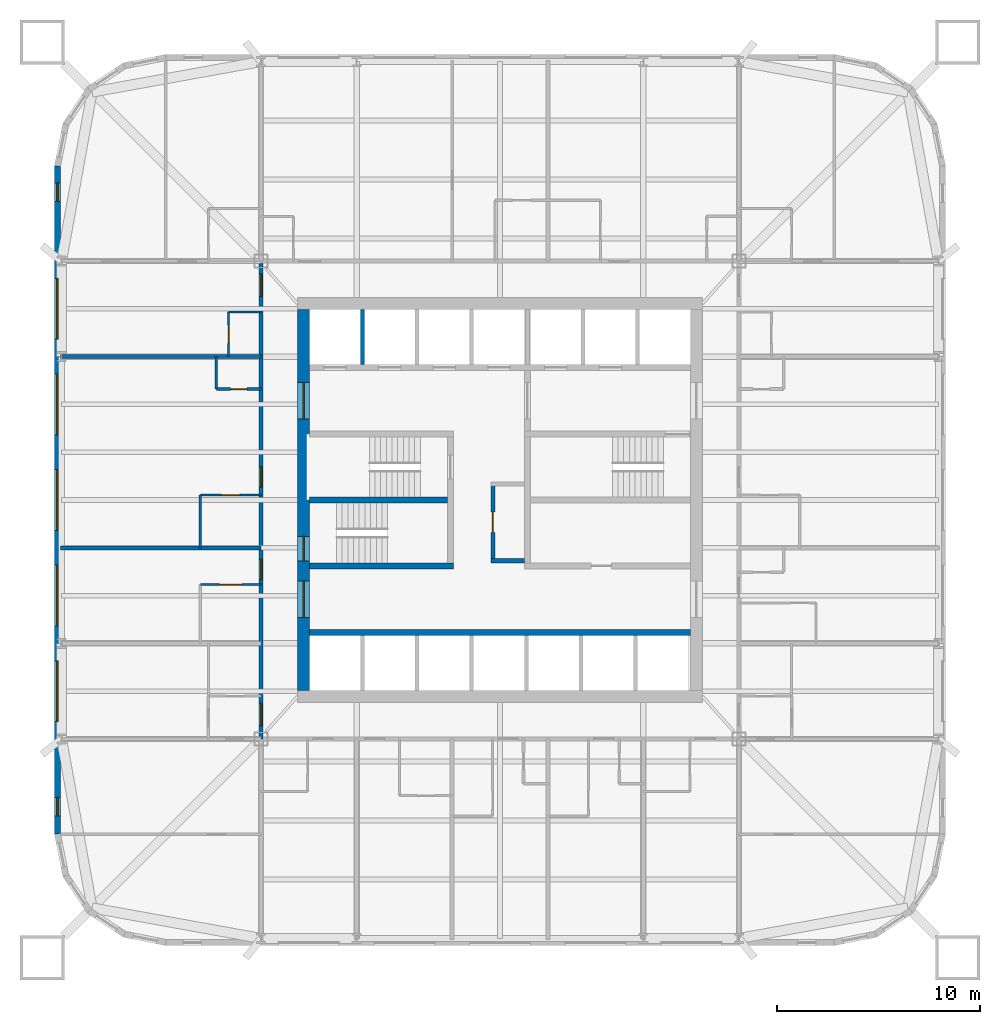
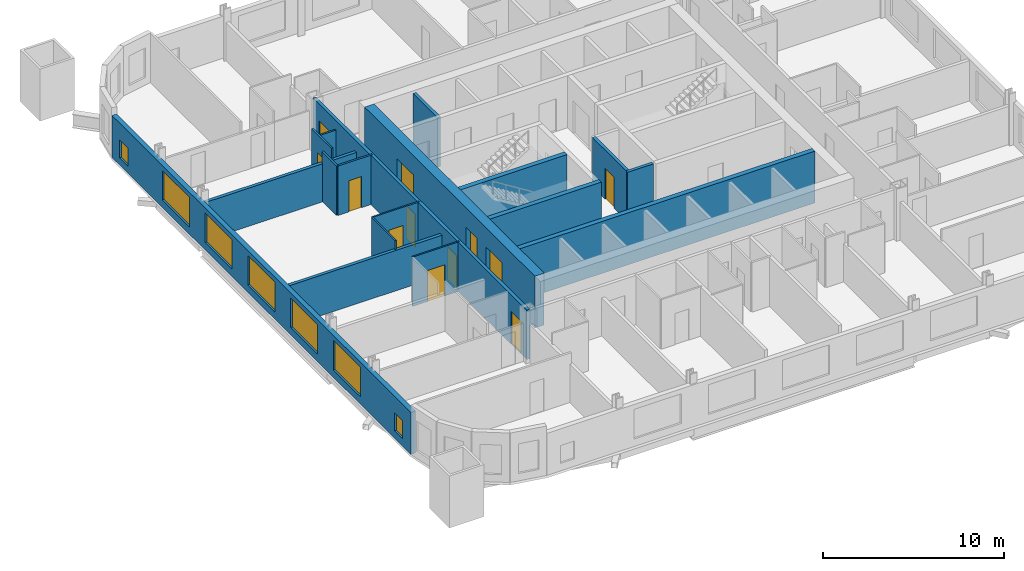
# One storey, part 4 of 9: 18 walls, 12 doors, 7 windows, 19 openings.
"""IFC4 building model written with IfcOpenShell, lengths in metres."""

from ifc_helpers import new_model, si_unit, direction, frame, frame_2d, origin, place, context, subcontext, project, spatial, rectangle, extrude, material, layer, layer_set, type_object, element, fill, save


model = new_model("IFC4")

# Units and contexts
model_context = context("Model", 3, precision=1e-05, world=origin(), true_north=direction((0.0, 1.0)))
body_context = subcontext(model_context, "Body", "Model", "MODEL_VIEW")
ifc_project = project(units=[si_unit("LENGTHUNIT", "METRE"), si_unit("AREAUNIT", "SQUARE_METRE"), si_unit("VOLUMEUNIT", "CUBIC_METRE"), si_unit("PLANEANGLEUNIT", "RADIAN"), si_unit("MASSUNIT", "GRAM", prefix="KILO")], contexts=[model_context])

# Site, building, storey
site_placement = place(None, origin())
site = spatial("IfcSite", under=ifc_project, at=site_placement, CompositionType="ELEMENT")
building_placement = place(site_placement, origin())
building = spatial("IfcBuilding", under=site, at=building_placement, Name="Turquesa Mirador Hotel Tower", CompositionType="ELEMENT")
storey_placement = place(building_placement, frame((0.0, 0.0, 74.0)))
storey = spatial("IfcBuildingStorey", under=building, at=storey_placement, Name="L19", CompositionType="ELEMENT", Elevation=74.0)

# Wall, opening, door
ifc_material_1 = material(Name="Gypsum board on steel studs", Category="steel")
ifc_layer_1 = layer(ifc_material_1, 0.10009765625)
ifc_layer_set_1 = layer_set([ifc_layer_1], Name="BATHROOM WALL 100")
wall_type_1 = type_object("IfcWallType", Name="BATHROOM WALL 100", PredefinedType="PARTITIONING", material=ifc_layer_set_1)
wall_1_placement = place(storey_placement, frame((40.199951171875, 40.820068359375, 0.0), z_axis=(0.0, 0.0, 1.0), x_axis=(1.0, 0.0, 0.0)))
wall_1 = element("IfcWall", 1, at=wall_1_placement, inside=storey, type_object=wall_type_1, Name="Partition L19 016", PredefinedType="PARTITIONING", context=body_context, shape_type="SweptSolid", body=[
    extrude(rectangle(XDim=3.0, YDim=0.10009765625, at=frame_2d((1.5, 0.0))), origin(), (0.0, 0.0, 1.0), 3.330078125),
])
opening_1_placement = place(wall_1_placement, frame((0.949951171875, 0.0, 0.0)))
opening_1 = element("IfcOpeningElement", 2, at=opening_1_placement, cuts=wall_1, Name="Opening D16", PredefinedType="OPENING", context=body_context, shape_type="SweptSolid", body=[
    extrude(rectangle(XDim=1.10009765625, YDim=2.10009765625, at=frame_2d((0.550048828125, 1.050048828125))), frame((0.0, 0.06005859375, 0.0), z_axis=(0.0, -1.0, 0.0), x_axis=(1.0, 0.0, 0.0)), (0.0, 0.0, 1.0), 0.1201171875),
])
ifc_material_2 = material(Name="Timber veneered sliding door", Category="wood")
door_type_1 = type_object("IfcDoorType", Name="DOOR 1100X2100 ACCESSIBLE EN-SUITE", OperationType="SLIDING_TO_LEFT", PredefinedType="DOOR", material=ifc_material_2)
door_1_placement = place(opening_1_placement, origin())
door_1 = element("IfcDoor", 3, at=door_1_placement, inside=storey, type_object=door_type_1, Name="Door 1910B", OperationType="SLIDING_TO_LEFT", OverallHeight=2.10009765625, OverallWidth=1.10009765625, PredefinedType="DOOR", context=body_context, shape_type="SweptSolid", body=[
    extrude(rectangle(XDim=1.10009765625, YDim=2.10009765625, at=frame_2d((0.550048828125, 1.050048828125))), frame((0.0, 0.02490234375, 0.0), z_axis=(0.0, -1.0, 0.0), x_axis=(1.0, 0.0, 0.0)), (0.0, 0.0, 1.0), 0.050048828125),
])
fill(opening_1, door_1)

wall_2_placement = place(storey_placement, frame((40.199951171875, 45.239990234375, 0.0), z_axis=(0.0, 0.0, 1.0), x_axis=(1.0, 0.0, 0.0)))
wall_2 = element("IfcWall", 4, at=wall_2_placement, inside=storey, type_object=wall_type_1, Name="Partition L19 022", PredefinedType="PARTITIONING", context=body_context, shape_type="SweptSolid", body=[
    extrude(rectangle(XDim=3.0, YDim=0.10009765625, at=frame_2d((1.5, 0.0))), origin(), (0.0, 0.0, 1.0), 3.330078125),
])
opening_2_placement = place(wall_2_placement, frame((1.050048828125, 0.0, 0.0)))
opening_2 = element("IfcOpeningElement", 5, at=opening_2_placement, cuts=wall_2, Name="Opening D02", PredefinedType="OPENING", context=body_context, shape_type="SweptSolid", body=[
    extrude(rectangle(XDim=0.89990234375, YDim=2.10009765625, at=frame_2d((0.449951171875, 1.050048828125))), frame((0.0, 0.06005859375, 0.0), z_axis=(0.0, -1.0, 0.0), x_axis=(1.0, 0.0, 0.0)), (0.0, 0.0, 1.0), 0.1201171875),
])
ifc_material_3 = material(Name="Timber veneered door", Category="wood")
door_type_2 = type_object("IfcDoorType", Name="DOOR 900X2100 EN-SUITE", OperationType="SINGLE_SWING_RIGHT", PredefinedType="DOOR", material=ifc_material_3)
door_2_placement = place(opening_2_placement, origin())
door_2 = element("IfcDoor", 6, at=door_2_placement, inside=storey, type_object=door_type_2, Name="Door 1911B", OperationType="SINGLE_SWING_RIGHT", OverallHeight=2.10009765625, OverallWidth=0.89990234375, PredefinedType="DOOR", context=body_context, shape_type="SweptSolid", body=[
    extrude(rectangle(XDim=0.89990234375, YDim=2.10009765625, at=frame_2d((0.449951171875, 1.050048828125))), frame((0.0, 0.02490234375, 0.0), z_axis=(0.0, -1.0, 0.0), x_axis=(1.0, 0.0, 0.0)), (0.0, 0.0, 1.0), 0.050048828125),
])
fill(opening_2, door_2)

# Wall
wall_3_placement = place(storey_placement, frame((41.60009765625, 54.280029296875, 0.0), z_axis=(0.0, 0.0, 1.0), x_axis=(1.0, 0.0, 0.0)))
element("IfcWall", 7, at=wall_3_placement, inside=storey, type_object=wall_type_1, Name="Partition L19 038", PredefinedType="PARTITIONING", context=body_context, shape_type="SweptSolid", body=[
    extrude(rectangle(XDim=1.599853515625, YDim=0.10009765625, at=frame_2d((0.7998046875, 0.0))), origin(), (0.0, 0.0, 1.0), 2.722900390625),
])

# Wall, opening, door
wall_4_placement = place(storey_placement, frame((41.60009765625, 52.080078125, 0.0), z_axis=(0.0, 0.0, 1.0), x_axis=(0.0, 1.0, 0.0)))
wall_4 = element("IfcWall", 8, at=wall_4_placement, inside=storey, type_object=wall_type_1, Name="Partition L19 046", PredefinedType="PARTITIONING", context=body_context, shape_type="SweptSolid", body=[
    extrude(rectangle(XDim=2.199951171875, YDim=0.10009765625, at=frame_2d((1.10009765625, 0.0))), origin(), (0.0, 0.0, 1.0), 3.330078125),
])
opening_3_placement = place(wall_4_placement, frame((0.64990234375, 0.0, 0.0)))
opening_3 = element("IfcOpeningElement", 9, at=opening_3_placement, cuts=wall_4, Name="Opening D06", PredefinedType="OPENING", context=body_context, shape_type="SweptSolid", body=[
    extrude(rectangle(XDim=0.89990234375, YDim=2.10009765625, at=frame_2d((0.449951171875, 1.050048828125))), frame((0.0, 0.06005859375, 0.0), z_axis=(0.0, -1.0, 0.0), x_axis=(1.0, 0.0, 0.0)), (0.0, 0.0, 1.0), 0.1201171875),
])
ifc_material_4 = material(Name="Laminate door", Category="wood")
door_type_3 = type_object("IfcDoorType", Name="DOOR 900X2100 WC", OperationType="SINGLE_SWING_LEFT", PredefinedType="DOOR", material=ifc_material_4)
door_3_placement = place(opening_3_placement, origin())
door_3 = element("IfcDoor", 10, at=door_3_placement, inside=storey, type_object=door_type_3, Name="Door 1913W", OperationType="SINGLE_SWING_LEFT", OverallHeight=2.10009765625, OverallWidth=0.89990234375, PredefinedType="DOOR", context=body_context, shape_type="SweptSolid", body=[
    extrude(rectangle(XDim=0.89990234375, YDim=2.10009765625, at=frame_2d((0.449951171875, 1.050048828125))), frame((0.0, 0.02490234375, 0.0), z_axis=(0.0, -1.0, 0.0), x_axis=(1.0, 0.0, 0.0)), (0.0, 0.0, 1.0), 0.050048828125),
])
fill(opening_3, door_3)

# Walls
wall_5_placement = place(storey_placement, frame((40.199951171875, 42.639892578125, 0.0), z_axis=(0.0, 0.0, 1.0), x_axis=(0.0, 1.0, 0.0)))
element("IfcWall", 11, at=wall_5_placement, inside=storey, type_object=wall_type_1, Name="Partition L19 052", PredefinedType="PARTITIONING", context=body_context, shape_type="SweptSolid", body=[
    extrude(rectangle(XDim=2.60009765625, YDim=0.10009765625, at=frame_2d((1.300048828125, 0.0))), origin(), (0.0, 0.0, 1.0), 3.330078125),
])
ifc_material_5 = material(Name="Concrete C50/60", Category="concrete")
ifc_layer_2 = layer(ifc_material_5, 0.300048828125)
ifc_layer_set_2 = layer_set([ifc_layer_2], Name="CORE INNER WALL 300")
wall_type_2 = type_object("IfcWallType", Name="CORE INNER WALL 300", PredefinedType="SHEAR", material=ifc_layer_set_2)
wall_6_placement = place(storey_placement, frame((45.60009765625, 38.449951171875, 0.0), z_axis=(0.0, 0.0, 1.0), x_axis=(1.0, 0.0, 0.0)))
element("IfcWall", 12, at=wall_6_placement, inside=storey, type_object=wall_type_2, Name="Core wall SL", PredefinedType="SHEAR", context=body_context, shape_type="SweptSolid", body=[
    extrude(rectangle(XDim=18.7998046875, YDim=0.300048828125, at=frame_2d((9.39990234375, 0.0))), origin(), (0.0, 0.0, 1.0), 3.5),
])
wall_7_placement = place(storey_placement, frame((45.60009765625, 41.75, 0.0), z_axis=(0.0, 0.0, 1.0), x_axis=(1.0, 0.0, 0.0)))
element("IfcWall", 13, at=wall_7_placement, inside=storey, type_object=wall_type_2, Name="Core wall MS-W", PredefinedType="SHEAR", context=body_context, shape_type="SweptSolid", body=[
    extrude(rectangle(XDim=7.099853515625, YDim=0.300048828125, at=frame_2d((3.5498046875, 0.0))), origin(), (0.0, 0.0, 1.0), 3.5),
])
wall_8_placement = place(storey_placement, frame((45.60009765625, 45.0, 0.0), z_axis=(0.0, 0.0, 1.0), x_axis=(1.0, 0.0, 0.0)))
element("IfcWall", 14, at=wall_8_placement, inside=storey, type_object=wall_type_2, Name="Core wall M0-W", PredefinedType="SHEAR", context=body_context, shape_type="SweptSolid", body=[
    extrude(rectangle(XDim=6.7998046875, YDim=0.300048828125, at=frame_2d((3.39990234375, 0.0))), origin(), (0.0, 0.0, 1.0), 3.5),
])

# Wall, openings, doors
ifc_material_6 = material(Name="Concrete C50/60", Category="concrete")
ifc_layer_3 = layer(ifc_material_6, 0.60009765625)
ifc_layer_set_3 = layer_set([ifc_layer_3], Name="CORE WALL 600")
wall_type_3 = type_object("IfcWallType", Name="CORE WALL 600", PredefinedType="SHEAR", material=ifc_layer_set_3)
wall_9_placement = place(storey_placement, frame((45.300048828125, 35.60009765625, 0.0), z_axis=(0.0, 0.0, 1.0), x_axis=(0.0, 1.0, 0.0)))
wall_9 = element("IfcWall", 15, at=wall_9_placement, inside=storey, type_object=wall_type_3, Name="Core wall W", PredefinedType="SHEAR", context=body_context, shape_type="SweptSolid", body=[
    extrude(rectangle(XDim=18.7998046875, YDim=0.60009765625, at=frame_2d((9.39990234375, 0.0))), origin(), (0.0, 0.0, 1.0), 3.5),
])
opening_4_placement = place(wall_9_placement, frame((13.39990234375, 0.0, 0.0)))
opening_4 = element("IfcOpeningElement", 16, at=opening_4_placement, cuts=wall_9, Name="Opening D04", PredefinedType="OPENING", context=body_context, shape_type="SweptSolid", body=[
    extrude(rectangle(XDim=1.800048828125, YDim=2.199951171875, at=frame_2d((0.89990234375, 1.10009765625))), frame((0.0, 0.31005859375, 0.0), z_axis=(0.0, -1.0, 0.0), x_axis=(1.0, 0.0, 0.0)), (0.0, 0.0, 1.0), 0.6201171875),
])
opening_5_placement = place(wall_9_placement, frame((3.60009765625, 0.0, 0.0)))
opening_5 = element("IfcOpeningElement", 17, at=opening_5_placement, cuts=wall_9, Name="Opening D04", PredefinedType="OPENING", context=body_context, shape_type="SweptSolid", body=[
    extrude(rectangle(XDim=1.800048828125, YDim=2.199951171875, at=frame_2d((0.89990234375, 1.10009765625))), frame((0.0, 0.31005859375, 0.0), z_axis=(0.0, -1.0, 0.0), x_axis=(1.0, 0.0, 0.0)), (0.0, 0.0, 1.0), 0.6201171875),
])
opening_6_placement = place(wall_9_placement, frame((6.39990234375, 0.0, 0.0)))
opening_6 = element("IfcOpeningElement", 18, at=opening_6_placement, cuts=wall_9, Name="Opening D03", PredefinedType="OPENING", context=body_context, shape_type="SweptSolid", body=[
    extrude(rectangle(XDim=1.199951171875, YDim=2.199951171875, at=frame_2d((0.60009765625, 1.10009765625))), frame((0.0, 0.31005859375, 0.0), z_axis=(0.0, -1.0, 0.0), x_axis=(1.0, 0.0, 0.0)), (0.0, 0.0, 1.0), 0.6201171875),
])
ifc_material_7 = material(Name="Steel fire door", Category="steel")
door_type_4 = type_object("IfcDoorType", Name="DOOR 1200X2200 STAIR", OperationType="SINGLE_SWING_LEFT", PredefinedType="DOOR", material=ifc_material_7)
door_4_placement = place(opening_6_placement, origin())
door_4 = element("IfcDoor", 19, at=door_4_placement, inside=storey, type_object=door_type_4, Name="Stair ST2 door", OperationType="SINGLE_SWING_LEFT", OverallHeight=2.199951171875, OverallWidth=1.199951171875, PredefinedType="DOOR", context=body_context, shape_type="SweptSolid", body=[
    extrude(rectangle(XDim=1.199951171875, YDim=2.199951171875, at=frame_2d((0.60009765625, 1.10009765625))), frame((0.0, 0.02490234375, 0.0), z_axis=(0.0, -1.0, 0.0), x_axis=(1.0, 0.0, 0.0)), (0.0, 0.0, 1.0), 0.050048828125),
])
fill(opening_6, door_4)
ifc_material_8 = material(Name="Steel fire door pair", Category="steel")
door_type_5 = type_object("IfcDoorType", Name="DOOR 1800X2200 PAIR", OperationType="DOUBLE_DOOR_SINGLE_SWING", PredefinedType="DOOR", material=ifc_material_8)
door_5_placement = place(opening_4_placement, origin())
door_5 = element("IfcDoor", 20, at=door_5_placement, inside=storey, type_object=door_type_5, Name="North lift lobby door", OperationType="DOUBLE_DOOR_SINGLE_SWING", OverallHeight=2.199951171875, OverallWidth=1.800048828125, PredefinedType="DOOR", context=body_context, shape_type="SweptSolid", body=[
    extrude(rectangle(XDim=1.800048828125, YDim=2.199951171875, at=frame_2d((0.89990234375, 1.10009765625))), frame((0.0, 0.02490234375, 0.0), z_axis=(0.0, -1.0, 0.0), x_axis=(1.0, 0.0, 0.0)), (0.0, 0.0, 1.0), 0.050048828125),
])
fill(opening_4, door_5)
door_6_placement = place(opening_5_placement, origin())
door_6 = element("IfcDoor", 21, at=door_6_placement, inside=storey, type_object=door_type_5, Name="South lift lobby door", OperationType="DOUBLE_DOOR_SINGLE_SWING", OverallHeight=2.199951171875, OverallWidth=1.800048828125, PredefinedType="DOOR", context=body_context, shape_type="SweptSolid", body=[
    extrude(rectangle(XDim=1.800048828125, YDim=2.199951171875, at=frame_2d((0.89990234375, 1.10009765625))), frame((0.0, 0.02490234375, 0.0), z_axis=(0.0, -1.0, 0.0), x_axis=(1.0, 0.0, 0.0)), (0.0, 0.0, 1.0), 0.050048828125),
])
fill(opening_5, door_6)

ifc_material_9 = material(Name="Fire-rated gypsum board on steel studs", Category="steel")
ifc_layer_4 = layer(ifc_material_9, 0.199951171875)
ifc_layer_set_4 = layer_set([ifc_layer_4], Name="CORRIDOR WALL 200")
wall_type_4 = type_object("IfcWallType", Name="CORRIDOR WALL 200", PredefinedType="PARTITIONING", material=ifc_layer_set_4)
wall_10_placement = place(storey_placement, frame((43.199951171875, 33.199951171875, 0.0), z_axis=(0.0, 0.0, 1.0), x_axis=(0.0, 1.0, 0.0)))
wall_10 = element("IfcWall", 22, at=wall_10_placement, inside=storey, type_object=wall_type_4, Name="Partition L19 043", PredefinedType="PARTITIONING", context=body_context, shape_type="SweptSolid", body=[
    extrude(rectangle(XDim=23.60009765625, YDim=0.199951171875, at=frame_2d((11.800048828125, 0.0))), origin(), (0.0, 0.0, 1.0), 3.330078125),
])
opening_7_placement = place(wall_10_placement, frame((7.8701171875, 0.0, 0.0)))
opening_7 = element("IfcOpeningElement", 23, at=opening_7_placement, cuts=wall_10, Name="Opening D01", PredefinedType="OPENING", context=body_context, shape_type="SweptSolid", body=[
    extrude(rectangle(XDim=1.0, YDim=2.199951171875, at=frame_2d((0.5, 1.10009765625))), frame((0.0, 0.10986328125, 0.0), z_axis=(0.0, -1.0, 0.0), x_axis=(1.0, 0.0, 0.0)), (0.0, 0.0, 1.0), 0.219970703125),
])
opening_8_placement = place(wall_10_placement, frame((12.43994140625, 0.0, 0.0)))
opening_8 = element("IfcOpeningElement", 24, at=opening_8_placement, cuts=wall_10, Name="Opening D01", PredefinedType="OPENING", context=body_context, shape_type="SweptSolid", body=[
    extrude(rectangle(XDim=1.0, YDim=2.199951171875, at=frame_2d((0.5, 1.10009765625))), frame((0.0, 0.10986328125, 0.0), z_axis=(0.0, -1.0, 0.0), x_axis=(1.0, 0.0, 0.0)), (0.0, 0.0, 1.0), 0.219970703125),
])
opening_9_placement = place(wall_10_placement, frame((21.85009765625, 0.0, 0.0)))
opening_9 = element("IfcOpeningElement", 25, at=opening_9_placement, cuts=wall_10, Name="Opening D15", PredefinedType="OPENING", context=body_context, shape_type="SweptSolid", body=[
    extrude(rectangle(XDim=1.10009765625, YDim=2.199951171875, at=frame_2d((0.550048828125, 1.10009765625))), frame((0.0, 0.10986328125, 0.0), z_axis=(0.0, -1.0, 0.0), x_axis=(1.0, 0.0, 0.0)), (0.0, 0.0, 1.0), 0.219970703125),
])
opening_10_placement = place(wall_10_placement, frame((0.659912109375, 0.0, 0.0)))
opening_10 = element("IfcOpeningElement", 26, at=opening_10_placement, cuts=wall_10, Name="Opening D15", PredefinedType="OPENING", context=body_context, shape_type="SweptSolid", body=[
    extrude(rectangle(XDim=1.10009765625, YDim=2.199951171875, at=frame_2d((0.550048828125, 1.10009765625))), frame((0.0, 0.10986328125, 0.0), z_axis=(0.0, -1.0, 0.0), x_axis=(1.0, 0.0, 0.0)), (0.0, 0.0, 1.0), 0.219970703125),
])
ifc_material_10 = material(Name="Timber veneered fire door", Category="wood")
door_type_6 = type_object("IfcDoorType", Name="DOOR 1000X2200 GUEST ENTRY", OperationType="SINGLE_SWING_LEFT", PredefinedType="DOOR", material=ifc_material_10)
door_7_placement = place(opening_7_placement, origin())
door_7 = element("IfcDoor", 27, at=door_7_placement, inside=storey, type_object=door_type_6, Name="Door 1910", OperationType="SINGLE_SWING_LEFT", OverallHeight=2.199951171875, OverallWidth=1.0, PredefinedType="DOOR", context=body_context, shape_type="SweptSolid", body=[
    extrude(rectangle(XDim=1.0, YDim=2.199951171875, at=frame_2d((0.5, 1.10009765625))), frame((0.0, 0.02490234375, 0.0), z_axis=(0.0, -1.0, 0.0), x_axis=(1.0, 0.0, 0.0)), (0.0, 0.0, 1.0), 0.050048828125),
])
fill(opening_7, door_7)
door_8_placement = place(opening_8_placement, origin())
door_8 = element("IfcDoor", 28, at=door_8_placement, inside=storey, type_object=door_type_6, Name="Door 1911", OperationType="SINGLE_SWING_LEFT", OverallHeight=2.199951171875, OverallWidth=1.0, PredefinedType="DOOR", context=body_context, shape_type="SweptSolid", body=[
    extrude(rectangle(XDim=1.0, YDim=2.199951171875, at=frame_2d((0.5, 1.10009765625))), frame((0.0, 0.02490234375, 0.0), z_axis=(0.0, -1.0, 0.0), x_axis=(1.0, 0.0, 0.0)), (0.0, 0.0, 1.0), 0.050048828125),
])
fill(opening_8, door_8)
ifc_material_11 = material(Name="Timber veneered fire door", Category="wood")
door_type_7 = type_object("IfcDoorType", Name="DOOR 1100X2200 SUITE ENTRY", OperationType="SINGLE_SWING_LEFT", PredefinedType="DOOR", material=ifc_material_11)
door_9_placement = place(opening_9_placement, origin())
door_9 = element("IfcDoor", 29, at=door_9_placement, inside=storey, type_object=door_type_7, Name="Door 1913", OperationType="SINGLE_SWING_LEFT", OverallHeight=2.199951171875, OverallWidth=1.10009765625, PredefinedType="DOOR", context=body_context, shape_type="SweptSolid", body=[
    extrude(rectangle(XDim=1.10009765625, YDim=2.199951171875, at=frame_2d((0.550048828125, 1.10009765625))), frame((0.0, 0.02490234375, 0.0), z_axis=(0.0, -1.0, 0.0), x_axis=(1.0, 0.0, 0.0)), (0.0, 0.0, 1.0), 0.050048828125),
])
fill(opening_9, door_9)
door_10_placement = place(opening_10_placement, origin())
door_10 = element("IfcDoor", 30, at=door_10_placement, inside=storey, type_object=door_type_7, Name="Door 1914H", OperationType="SINGLE_SWING_LEFT", OverallHeight=2.199951171875, OverallWidth=1.10009765625, PredefinedType="DOOR", context=body_context, shape_type="SweptSolid", body=[
    extrude(rectangle(XDim=1.10009765625, YDim=2.199951171875, at=frame_2d((0.550048828125, 1.10009765625))), frame((0.0, 0.02490234375, 0.0), z_axis=(0.0, -1.0, 0.0), x_axis=(1.0, 0.0, 0.0)), (0.0, 0.0, 1.0), 0.050048828125),
])
fill(opening_10, door_10)

# Wall, openings, windows
ifc_material_12 = material(Name="Limestone cladding on concrete block", Category="masonry")
ifc_layer_5 = layer(ifc_material_12, 0.300048828125)
ifc_layer_set_5 = layer_set([ifc_layer_5], Name="FACADE WALL 300 STONE SCREEN")
wall_type_5 = type_object("IfcWallType", Name="FACADE WALL 300 STONE SCREEN", PredefinedType="SOLIDWALL", material=ifc_layer_set_5)
wall_11_placement = place(storey_placement, frame((33.14990234375, 61.5, 0.0), z_axis=(0.0, 0.0, 1.0), x_axis=(0.0, -1.0, 0.0)))
wall_11 = element("IfcWall", 31, at=wall_11_placement, inside=storey, type_object=wall_type_5, Name="Facade wall L19 14", PredefinedType="SOLIDWALL", context=body_context, shape_type="SweptSolid", body=[
    extrude(rectangle(XDim=33.0, YDim=0.300048828125, at=frame_2d((16.5, 0.0))), origin(), (0.0, 0.0, 1.0), 2.830078125),
])
opening_11_placement = place(wall_11_placement, frame((0.85009765625, 0.0, 0.5)))
opening_11 = element("IfcOpeningElement", 32, at=opening_11_placement, cuts=wall_11, Name="Opening WN36", PredefinedType="OPENING", context=body_context, shape_type="SweptSolid", body=[
    extrude(rectangle(XDim=0.89990234375, YDim=1.199951171875, at=frame_2d((0.449951171875, 0.60009765625))), frame((0.0, 0.159912109375, 0.0), z_axis=(0.0, -1.0, 0.0), x_axis=(1.0, 0.0, 0.0)), (0.0, 0.0, 1.0), 0.320068359375),
])
opening_12_placement = place(wall_11_placement, frame((5.56005859375, 0.0, 0.5)))
opening_12 = element("IfcOpeningElement", 33, at=opening_12_placement, cuts=wall_11, Name="Opening WN1", PredefinedType="OPENING", context=body_context, shape_type="SweptSolid", body=[
    extrude(rectangle(XDim=3.0, YDim=2.0, at=frame_2d((1.5, 1.0))), frame((0.0, 0.159912109375, 0.0), z_axis=(0.0, -1.0, 0.0), x_axis=(1.0, 0.0, 0.0)), (0.0, 0.0, 1.0), 0.320068359375),
])
opening_13_placement = place(wall_11_placement, frame((10.280029296875, 0.0, 0.5)))
opening_13 = element("IfcOpeningElement", 34, at=opening_13_placement, cuts=wall_11, Name="Opening WN1", PredefinedType="OPENING", context=body_context, shape_type="SweptSolid", body=[
    extrude(rectangle(XDim=3.0, YDim=2.0, at=frame_2d((1.5, 1.0))), frame((0.0, 0.159912109375, 0.0), z_axis=(0.0, -1.0, 0.0), x_axis=(1.0, 0.0, 0.0)), (0.0, 0.0, 1.0), 0.320068359375),
])
opening_14_placement = place(wall_11_placement, frame((15.0, 0.0, 0.5)))
opening_14 = element("IfcOpeningElement", 35, at=opening_14_placement, cuts=wall_11, Name="Opening WN1", PredefinedType="OPENING", context=body_context, shape_type="SweptSolid", body=[
    extrude(rectangle(XDim=3.0, YDim=2.0, at=frame_2d((1.5, 1.0))), frame((0.0, 0.159912109375, 0.0), z_axis=(0.0, -1.0, 0.0), x_axis=(1.0, 0.0, 0.0)), (0.0, 0.0, 1.0), 0.320068359375),
])
opening_15_placement = place(wall_11_placement, frame((19.719970703125, 0.0, 0.5)))
opening_15 = element("IfcOpeningElement", 36, at=opening_15_placement, cuts=wall_11, Name="Opening WN1", PredefinedType="OPENING", context=body_context, shape_type="SweptSolid", body=[
    extrude(rectangle(XDim=3.0, YDim=2.0, at=frame_2d((1.5, 1.0))), frame((0.0, 0.159912109375, 0.0), z_axis=(0.0, -1.0, 0.0), x_axis=(1.0, 0.0, 0.0)), (0.0, 0.0, 1.0), 0.320068359375),
])
opening_16_placement = place(wall_11_placement, frame((24.43994140625, 0.0, 0.5)))
opening_16 = element("IfcOpeningElement", 37, at=opening_16_placement, cuts=wall_11, Name="Opening WN1", PredefinedType="OPENING", context=body_context, shape_type="SweptSolid", body=[
    extrude(rectangle(XDim=3.0, YDim=2.0, at=frame_2d((1.5, 1.0))), frame((0.0, 0.159912109375, 0.0), z_axis=(0.0, -1.0, 0.0), x_axis=(1.0, 0.0, 0.0)), (0.0, 0.0, 1.0), 0.320068359375),
])
opening_17_placement = place(wall_11_placement, frame((31.199951171875, 0.0, 0.5)))
opening_17 = element("IfcOpeningElement", 38, at=opening_17_placement, cuts=wall_11, Name="Opening WN36", PredefinedType="OPENING", context=body_context, shape_type="SweptSolid", body=[
    extrude(rectangle(XDim=0.89990234375, YDim=1.199951171875, at=frame_2d((0.449951171875, 0.60009765625))), frame((0.0, 0.159912109375, 0.0), z_axis=(0.0, -1.0, 0.0), x_axis=(1.0, 0.0, 0.0)), (0.0, 0.0, 1.0), 0.320068359375),
])
ifc_material_13 = material(Name="Ceramic-fritted laminated glass", Category="glass")
window_type_1 = type_object("IfcWindowType", Name="FRITTED WINDOW 3000X2000", PartitioningType="DOUBLE_PANEL_HORIZONTAL", PredefinedType="WINDOW", material=ifc_material_13)
window_1_placement = place(opening_12_placement, origin())
window_1 = element("IfcWindow", 39, at=window_1_placement, inside=storey, type_object=window_type_1, Name="Window L19", OverallHeight=2.0, OverallWidth=3.0, PartitioningType="SINGLE_PANEL", PredefinedType="WINDOW", context=body_context, shape_type="SweptSolid", body=[
    extrude(rectangle(XDim=3.0, YDim=2.0, at=frame_2d((1.5, 1.0))), frame((0.0, 0.030029296875, 0.0), z_axis=(0.0, -1.0, 0.0), x_axis=(1.0, 0.0, 0.0)), (0.0, 0.0, 1.0), 0.06005859375),
])
fill(opening_12, window_1)
window_2_placement = place(opening_13_placement, origin())
window_2 = element("IfcWindow", 40, at=window_2_placement, inside=storey, type_object=window_type_1, Name="Window L19", OverallHeight=2.0, OverallWidth=3.0, PartitioningType="SINGLE_PANEL", PredefinedType="WINDOW", context=body_context, shape_type="SweptSolid", body=[
    extrude(rectangle(XDim=3.0, YDim=2.0, at=frame_2d((1.5, 1.0))), frame((0.0, 0.030029296875, 0.0), z_axis=(0.0, -1.0, 0.0), x_axis=(1.0, 0.0, 0.0)), (0.0, 0.0, 1.0), 0.06005859375),
])
fill(opening_13, window_2)
window_3_placement = place(opening_14_placement, origin())
window_3 = element("IfcWindow", 41, at=window_3_placement, inside=storey, type_object=window_type_1, Name="Window L19", OverallHeight=2.0, OverallWidth=3.0, PartitioningType="SINGLE_PANEL", PredefinedType="WINDOW", context=body_context, shape_type="SweptSolid", body=[
    extrude(rectangle(XDim=3.0, YDim=2.0, at=frame_2d((1.5, 1.0))), frame((0.0, 0.030029296875, 0.0), z_axis=(0.0, -1.0, 0.0), x_axis=(1.0, 0.0, 0.0)), (0.0, 0.0, 1.0), 0.06005859375),
])
fill(opening_14, window_3)
window_4_placement = place(opening_15_placement, origin())
window_4 = element("IfcWindow", 42, at=window_4_placement, inside=storey, type_object=window_type_1, Name="Window L19", OverallHeight=2.0, OverallWidth=3.0, PartitioningType="SINGLE_PANEL", PredefinedType="WINDOW", context=body_context, shape_type="SweptSolid", body=[
    extrude(rectangle(XDim=3.0, YDim=2.0, at=frame_2d((1.5, 1.0))), frame((0.0, 0.030029296875, 0.0), z_axis=(0.0, -1.0, 0.0), x_axis=(1.0, 0.0, 0.0)), (0.0, 0.0, 1.0), 0.06005859375),
])
fill(opening_15, window_4)
window_5_placement = place(opening_16_placement, origin())
window_5 = element("IfcWindow", 43, at=window_5_placement, inside=storey, type_object=window_type_1, Name="Window L19", OverallHeight=2.0, OverallWidth=3.0, PartitioningType="SINGLE_PANEL", PredefinedType="WINDOW", context=body_context, shape_type="SweptSolid", body=[
    extrude(rectangle(XDim=3.0, YDim=2.0, at=frame_2d((1.5, 1.0))), frame((0.0, 0.030029296875, 0.0), z_axis=(0.0, -1.0, 0.0), x_axis=(1.0, 0.0, 0.0)), (0.0, 0.0, 1.0), 0.06005859375),
])
fill(opening_16, window_5)
ifc_material_14 = material(Name="Ceramic-fritted laminated glass", Category="glass")
window_type_2 = type_object("IfcWindowType", Name="FRITTED WINDOW 900X1200", PartitioningType="DOUBLE_PANEL_HORIZONTAL", PredefinedType="WINDOW", material=ifc_material_14)
window_6_placement = place(opening_11_placement, origin())
window_6 = element("IfcWindow", 44, at=window_6_placement, inside=storey, type_object=window_type_2, Name="Window L19", OverallHeight=1.199951171875, OverallWidth=0.89990234375, PartitioningType="SINGLE_PANEL", PredefinedType="WINDOW", context=body_context, shape_type="SweptSolid", body=[
    extrude(rectangle(XDim=0.89990234375, YDim=1.199951171875, at=frame_2d((0.449951171875, 0.60009765625))), frame((0.0, 0.030029296875, 0.0), z_axis=(0.0, -1.0, 0.0), x_axis=(1.0, 0.0, 0.0)), (0.0, 0.0, 1.0), 0.06005859375),
])
fill(opening_11, window_6)
window_7_placement = place(opening_17_placement, origin())
window_7 = element("IfcWindow", 45, at=window_7_placement, inside=storey, type_object=window_type_2, Name="Window L19", OverallHeight=1.199951171875, OverallWidth=0.89990234375, PartitioningType="SINGLE_PANEL", PredefinedType="WINDOW", context=body_context, shape_type="SweptSolid", body=[
    extrude(rectangle(XDim=0.89990234375, YDim=1.199951171875, at=frame_2d((0.449951171875, 0.60009765625))), frame((0.0, 0.030029296875, 0.0), z_axis=(0.0, -1.0, 0.0), x_axis=(1.0, 0.0, 0.0)), (0.0, 0.0, 1.0), 0.06005859375),
])
fill(opening_17, window_7)

# Wall, opening, door
ifc_material_15 = material(Name="Fire-rated gypsum board on steel studs", Category="steel")
ifc_layer_6 = layer(ifc_material_15, 0.199951171875)
ifc_layer_set_6 = layer_set([ifc_layer_6], Name="FIRE PARTITION 200")
wall_type_6 = type_object("IfcWallType", Name="FIRE PARTITION 200", PredefinedType="PARTITIONING", material=ifc_layer_set_6)
wall_12_placement = place(storey_placement, frame((54.64990234375, 42.0, 0.0), z_axis=(0.0, 0.0, 1.0), x_axis=(0.0, 1.0, 0.0)))
wall_12 = element("IfcWall", 46, at=wall_12_placement, inside=storey, type_object=wall_type_6, Name="Partition L19 RR W", PredefinedType="PARTITIONING", context=body_context, shape_type="SweptSolid", body=[
    extrude(rectangle(XDim=3.800048828125, YDim=0.199951171875, at=frame_2d((1.89990234375, 0.0))), origin(), (0.0, 0.0, 1.0), 3.330078125),
])
opening_18_placement = place(wall_12_placement, frame((1.39990234375, 0.0, 0.0)))
opening_18 = element("IfcOpeningElement", 47, at=opening_18_placement, cuts=wall_12, Name="Opening D05", PredefinedType="OPENING", context=body_context, shape_type="SweptSolid", body=[
    extrude(rectangle(XDim=1.0, YDim=2.10009765625, at=frame_2d((0.5, 1.050048828125))), frame((0.0, 0.10986328125, 0.0), z_axis=(0.0, -1.0, 0.0), x_axis=(1.0, 0.0, 0.0)), (0.0, 0.0, 1.0), 0.219970703125),
])
ifc_material_16 = material(Name="Steel fire door", Category="steel")
door_type_8 = type_object("IfcDoorType", Name="DOOR 1000X2100 SERVICE", OperationType="SINGLE_SWING_LEFT", PredefinedType="DOOR", material=ifc_material_16)
door_11_placement = place(opening_18_placement, origin())
door_11 = element("IfcDoor", 48, at=door_11_placement, inside=storey, type_object=door_type_8, Name="Staff rest room door", OperationType="SINGLE_SWING_LEFT", OverallHeight=2.10009765625, OverallWidth=1.0, PredefinedType="DOOR", context=body_context, shape_type="SweptSolid", body=[
    extrude(rectangle(XDim=1.0, YDim=2.10009765625, at=frame_2d((0.5, 1.050048828125))), frame((0.0, 0.02490234375, 0.0), z_axis=(0.0, -1.0, 0.0), x_axis=(1.0, 0.0, 0.0)), (0.0, 0.0, 1.0), 0.050048828125),
])
fill(opening_18, door_11)

# Walls
wall_13_placement = place(storey_placement, frame((54.550048828125, 42.0, 0.0), z_axis=(0.0, 0.0, 1.0), x_axis=(1.0, 0.0, 0.0)))
element("IfcWall", 49, at=wall_13_placement, inside=storey, type_object=wall_type_6, Name="Partition L19 RR S", PredefinedType="PARTITIONING", context=body_context, shape_type="SweptSolid", body=[
    extrude(rectangle(XDim=1.64990234375, YDim=0.199951171875, at=frame_2d((0.824951171875, 0.0))), origin(), (0.0, 0.0, 1.0), 3.330078125),
])
ifc_material_17 = material(Name="Fire-rated gypsum shaft wall on steel studs", Category="steel")
ifc_layer_7 = layer(ifc_material_17, 0.199951171875)
ifc_layer_set_7 = layer_set([ifc_layer_7], Name="LIFT SHAFT DIVIDER 200")
wall_type_7 = type_object("IfcWallType", Name="LIFT SHAFT DIVIDER 200", PredefinedType="PARTITIONING", material=ifc_layer_set_7)
wall_14_placement = place(storey_placement, frame((48.199951171875, 51.699951171875, 0.0), z_axis=(0.0, 0.0, 1.0), x_axis=(0.0, 1.0, 0.0)))
element("IfcWall", 50, at=wall_14_placement, inside=storey, type_object=wall_type_7, Name="Lift shaft divider", PredefinedType="PARTITIONING", context=body_context, shape_type="SweptSolid", body=[
    extrude(rectangle(XDim=2.699951171875, YDim=0.199951171875, at=frame_2d((1.35009765625, 0.0))), origin(), (0.0, 0.0, 1.0), 3.330078125),
])
ifc_material_18 = material(Name="Fire-rated gypsum board on steel studs", Category="steel")
ifc_layer_8 = layer(ifc_material_18, 0.199951171875)
ifc_layer_set_8 = layer_set([ifc_layer_8], Name="PARTY WALL 200")
wall_type_8 = type_object("IfcWallType", Name="PARTY WALL 200", PredefinedType="PARTITIONING", material=ifc_layer_set_8)
wall_15_placement = place(storey_placement, frame((33.300048828125, 42.639892578125, 0.0), z_axis=(0.0, 0.0, 1.0), x_axis=(1.0, 0.0, 0.0)))
element("IfcWall", 51, at=wall_15_placement, inside=storey, type_object=wall_type_8, Name="Partition L19 013", PredefinedType="PARTITIONING", context=body_context, shape_type="SweptSolid", body=[
    extrude(rectangle(XDim=9.89990234375, YDim=0.199951171875, at=frame_2d((4.949951171875, 0.0))), origin(), (0.0, 0.0, 1.0), 2.722900390625),
])
wall_16_placement = place(storey_placement, frame((33.300048828125, 52.080078125, 0.0), z_axis=(0.0, 0.0, 1.0), x_axis=(1.0, 0.0, 0.0)))
element("IfcWall", 52, at=wall_16_placement, inside=storey, type_object=wall_type_8, Name="Partition L19 036", PredefinedType="PARTITIONING", context=body_context, shape_type="SweptSolid", body=[
    extrude(rectangle(XDim=9.89990234375, YDim=0.199951171875, at=frame_2d((4.949951171875, 0.0))), origin(), (0.0, 0.0, 1.0), 2.572998046875),
])

# Wall, opening, door
ifc_material_19 = material(Name="Acoustic gypsum board on steel studs", Category="steel")
ifc_layer_9 = layer(ifc_material_19, 0.125)
ifc_layer_set_9 = layer_set([ifc_layer_9], Name="SUITE PARTITION 125")
wall_type_9 = type_object("IfcWallType", Name="SUITE PARTITION 125", PredefinedType="PARTITIONING", material=ifc_layer_set_9)
wall_17_placement = place(storey_placement, frame((41.0, 50.47998046875, 0.0), z_axis=(0.0, 0.0, 1.0), x_axis=(1.0, 0.0, 0.0)))
wall_17 = element("IfcWall", 53, at=wall_17_placement, inside=storey, type_object=wall_type_9, Name="Partition L19 034", PredefinedType="PARTITIONING", context=body_context, shape_type="SweptSolid", body=[
    extrude(rectangle(XDim=2.199951171875, YDim=0.125, at=frame_2d((1.10009765625, 0.0))), origin(), (0.0, 0.0, 1.0), 3.330078125),
])
opening_19_placement = place(wall_17_placement, frame((0.699951171875, 0.0, 0.0)))
opening_19 = element("IfcOpeningElement", 54, at=opening_19_placement, cuts=wall_17, Name="Opening D20", PredefinedType="OPENING", context=body_context, shape_type="SweptSolid", body=[
    extrude(rectangle(XDim=0.800048828125, YDim=2.10009765625, at=frame_2d((0.39990234375, 1.050048828125))), frame((0.0, 0.072509765625, 0.0), z_axis=(0.0, -1.0, 0.0), x_axis=(1.0, 0.0, 0.0)), (0.0, 0.0, 1.0), 0.14501953125),
])
ifc_material_20 = material(Name="Timber veneered sliding door", Category="wood")
door_type_9 = type_object("IfcDoorType", Name="DOOR 800X2100 WARDROBE", OperationType="SLIDING_TO_LEFT", PredefinedType="DOOR", material=ifc_material_20)
door_12_placement = place(opening_19_placement, origin())
door_12 = element("IfcDoor", 55, at=door_12_placement, inside=storey, type_object=door_type_9, Name="Door 1911W", OperationType="SLIDING_TO_LEFT", OverallHeight=2.10009765625, OverallWidth=0.800048828125, PredefinedType="DOOR", context=body_context, shape_type="SweptSolid", body=[
    extrude(rectangle(XDim=0.800048828125, YDim=2.10009765625, at=frame_2d((0.39990234375, 1.050048828125))), frame((0.0, 0.02490234375, 0.0), z_axis=(0.0, -1.0, 0.0), x_axis=(1.0, 0.0, 0.0)), (0.0, 0.0, 1.0), 0.050048828125),
])
fill(opening_19, door_12)

# Wall
wall_18_placement = place(storey_placement, frame((41.0, 50.47998046875, 0.0), z_axis=(0.0, 0.0, 1.0), x_axis=(0.0, 1.0, 0.0)))
element("IfcWall", 56, at=wall_18_placement, inside=storey, type_object=wall_type_9, Name="Partition L19 047", PredefinedType="PARTITIONING", context=body_context, shape_type="SweptSolid", body=[
    extrude(rectangle(XDim=1.60009765625, YDim=0.125, at=frame_2d((0.800048828125, 0.0))), origin(), (0.0, 0.0, 1.0), 3.330078125),
])

save(model, "model.ifc")
